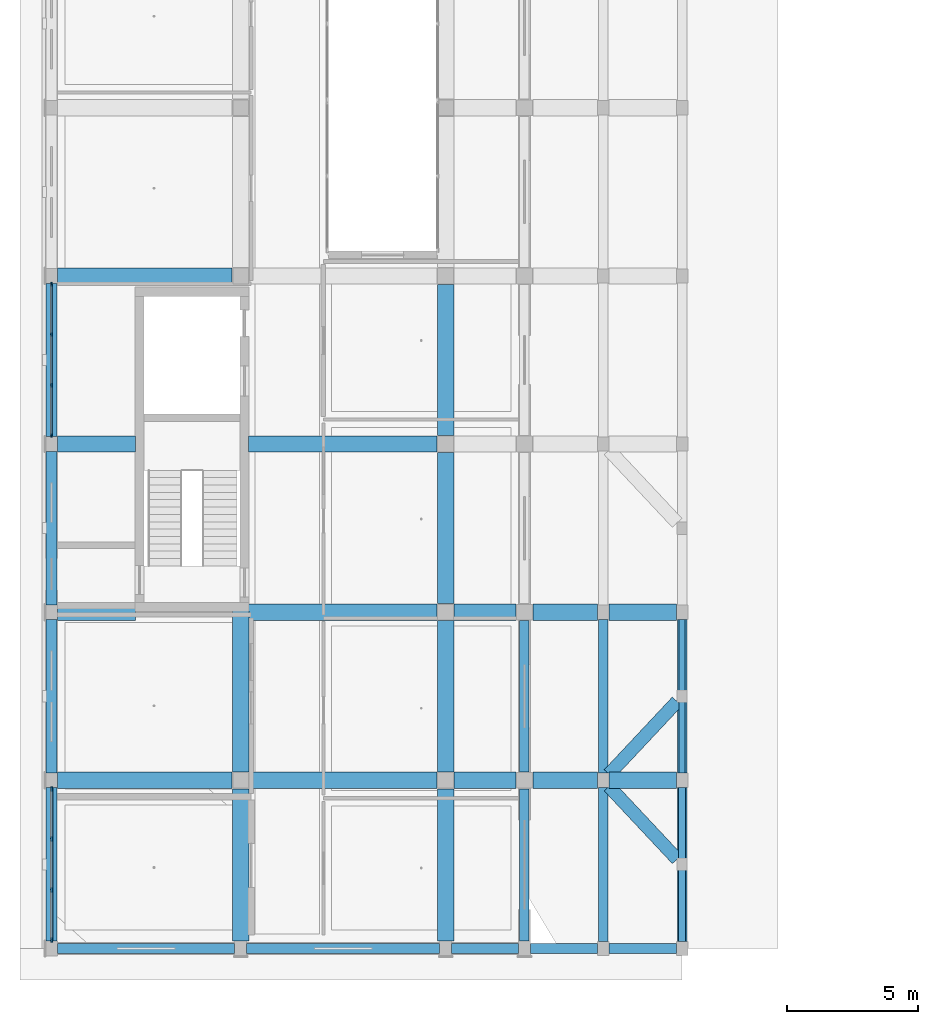
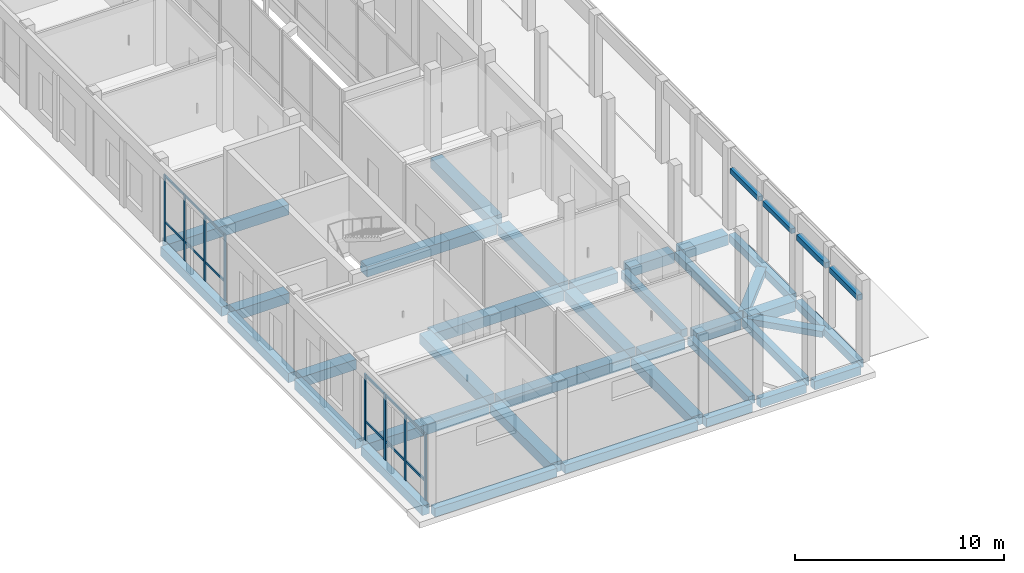
# One storey, part 18 of 88: 40 beams, 12 members, 2 elements without a shape of their own.
"""IFC4 building model written with IfcOpenShell, lengths in metres."""

from ifc_helpers import new_model, si_unit, derived_unit, direction, frame, origin, origin_2d, place, context, subcontext, project, spatial, rectangle, extrude, material, material_profile, profile_set, type_object, element, aggregate, save


model = new_model("IFC4")

# Units and contexts
model_context = context("Model", 3, precision=1e-05, world=origin(), true_north=direction((0.0, 1.0)))
body_context = subcontext(model_context, "Body", "Model", "MODEL_VIEW")
ifc_project = project(units=[si_unit("LENGTHUNIT", "METRE"), si_unit("AREAUNIT", "SQUARE_METRE"), si_unit("VOLUMEUNIT", "CUBIC_METRE"), si_unit("PLANEANGLEUNIT", "RADIAN"), si_unit("MASSUNIT", "GRAM", prefix="KILO"), derived_unit("THERMALTRANSMITTANCEUNIT", [(si_unit("POWERUNIT", "WATT"), 1), (si_unit("LENGTHUNIT", "METRE"), -2), (si_unit("THERMODYNAMICTEMPERATUREUNIT", "KELVIN"), -1)])], contexts=[model_context])

# Site, building, storey
site_placement = place(None, origin())
site = spatial("IfcSite", under=ifc_project, at=site_placement, CompositionType="ELEMENT")
building_placement = place(site_placement, origin())
building = spatial("IfcBuilding", under=site, at=building_placement, Name="Braskholm Square Health Centre", CompositionType="ELEMENT")
storey_placement = place(building_placement, origin())
storey = spatial("IfcBuildingStorey", under=building, at=storey_placement, Name="L01", CompositionType="ELEMENT", Elevation=0.0)

# Curtain wall, members
ifc_material_1 = material(Name="Low-E triple insulating glass (VLT 0.64)", Category="glass")
curtain_wall_type = type_object("IfcCurtainWallType", Name="UnitisedCurtainWall6200x3800", PredefinedType="NOTDEFINED", material=ifc_material_1)
curtain_wall_1_placement = place(storey_placement, origin())
curtain_wall_1 = element("IfcCurtainWall", 1, at=curtain_wall_1_placement, inside=storey, type_object=curtain_wall_type, Name="West Storefront unitised curtain wall CW-L01-0002", PredefinedType="NOTDEFINED")
ifc_material_2 = material(Name="Architectural bronze anodised aluminium", Category="aluminium")
ifc_material_profile_1 = material_profile(ifc_material_2, rectangle(XDim=0.06494140625, YDim=0.14990234375, at=origin_2d()), Name="ALU-65X150")
ifc_profile_set_1 = profile_set([ifc_material_profile_1], Name="Architectural bronze anodised aluminium")
member_type_1 = type_object("IfcMemberType", Name="CurtainWallMullion65x150", PredefinedType="MULLION", material=ifc_profile_set_1)
member_1_placement = place(storey_placement, frame((4.199951171875, 29.47509765625, 0.0), z_axis=(0.0, 0.0, 1.0), x_axis=(1.0, 0.0, 0.0)))
member_1 = element("IfcMember", 2, at=member_1_placement, type_object=member_type_1, Name="CW-L01-0002 vertical mullion 1", PredefinedType="MULLION", context=body_context, shape_type="SweptSolid", body=[
    extrude(rectangle(XDim=0.06494140625, YDim=0.14990234375, at=origin_2d()), origin(), (0.0, 0.0, 1.0), 3.8701171875),
])
member_2_placement = place(storey_placement, frame((4.199951171875, 27.570068359375, 0.0), z_axis=(0.0, 0.0, 1.0), x_axis=(1.0, 0.0, 0.0)))
member_2 = element("IfcMember", 3, at=member_2_placement, type_object=member_type_1, Name="CW-L01-0002 vertical mullion 2", PredefinedType="MULLION", context=body_context, shape_type="SweptSolid", body=[
    extrude(rectangle(XDim=0.06494140625, YDim=0.14990234375, at=origin_2d()), origin(), (0.0, 0.0, 1.0), 3.8701171875),
])
member_3_placement = place(storey_placement, frame((4.199951171875, 25.6298828125, 0.0), z_axis=(0.0, 0.0, 1.0), x_axis=(1.0, 0.0, 0.0)))
member_3 = element("IfcMember", 4, at=member_3_placement, type_object=member_type_1, Name="CW-L01-0002 vertical mullion 3", PredefinedType="MULLION", context=body_context, shape_type="SweptSolid", body=[
    extrude(rectangle(XDim=0.06494140625, YDim=0.14990234375, at=origin_2d()), origin(), (0.0, 0.0, 1.0), 3.8701171875),
])
member_4_placement = place(storey_placement, frame((4.199951171875, 23.724853515625, 0.0), z_axis=(0.0, 0.0, 1.0), x_axis=(1.0, 0.0, 0.0)))
member_4 = element("IfcMember", 5, at=member_4_placement, type_object=member_type_1, Name="CW-L01-0002 vertical mullion 4", PredefinedType="MULLION", context=body_context, shape_type="SweptSolid", body=[
    extrude(rectangle(XDim=0.06494140625, YDim=0.14990234375, at=origin_2d()), origin(), (0.0, 0.0, 1.0), 3.8701171875),
])

curtain_wall_2_placement = place(storey_placement, origin())
curtain_wall_2 = element("IfcCurtainWall", 6, at=curtain_wall_2_placement, inside=storey, type_object=curtain_wall_type, Name="West Storefront unitised curtain wall CW-L01-0001", PredefinedType="NOTDEFINED")
ifc_material_profile_2 = material_profile(ifc_material_2, rectangle(XDim=0.074951171875, YDim=0.179931640625, at=origin_2d()), Name="ALU-75X180")
ifc_profile_set_2 = profile_set([ifc_material_profile_2], Name="Architectural bronze anodised aluminium")
member_type_2 = type_object("IfcMemberType", Name="CurtainWallMullion75x180", PredefinedType="MULLION", material=ifc_profile_set_2)
member_5_placement = place(storey_placement, frame((4.199951171875, 10.275146484375, 0.0), z_axis=(0.0, 0.0, 1.0), x_axis=(1.0, 0.0, 0.0)))
member_5 = element("IfcMember", 7, at=member_5_placement, type_object=member_type_2, Name="CW-L01-0001 vertical mullion 1", PredefinedType="MULLION", context=body_context, shape_type="SweptSolid", body=[
    extrude(rectangle(XDim=0.074951171875, YDim=0.179931640625, at=origin_2d()), origin(), (0.0, 0.0, 1.0), 3.8701171875),
])
member_6_placement = place(storey_placement, frame((4.199951171875, 8.3701171875, 0.0), z_axis=(0.0, 0.0, 1.0), x_axis=(1.0, 0.0, 0.0)))
member_6 = element("IfcMember", 8, at=member_6_placement, type_object=member_type_2, Name="CW-L01-0001 vertical mullion 2", PredefinedType="MULLION", context=body_context, shape_type="SweptSolid", body=[
    extrude(rectangle(XDim=0.074951171875, YDim=0.179931640625, at=origin_2d()), origin(), (0.0, 0.0, 1.0), 3.8701171875),
])
member_7_placement = place(storey_placement, frame((4.199951171875, 6.429931640625, 0.0), z_axis=(0.0, 0.0, 1.0), x_axis=(1.0, 0.0, 0.0)))
member_7 = element("IfcMember", 9, at=member_7_placement, type_object=member_type_2, Name="CW-L01-0001 vertical mullion 3", PredefinedType="MULLION", context=body_context, shape_type="SweptSolid", body=[
    extrude(rectangle(XDim=0.074951171875, YDim=0.179931640625, at=origin_2d()), origin(), (0.0, 0.0, 1.0), 3.8701171875),
])
member_8_placement = place(storey_placement, frame((4.199951171875, 4.52490234375, 0.0), z_axis=(0.0, 0.0, 1.0), x_axis=(1.0, 0.0, 0.0)))
member_8 = element("IfcMember", 10, at=member_8_placement, type_object=member_type_2, Name="CW-L01-0001 vertical mullion 4", PredefinedType="MULLION", context=body_context, shape_type="SweptSolid", body=[
    extrude(rectangle(XDim=0.074951171875, YDim=0.179931640625, at=origin_2d()), origin(), (0.0, 0.0, 1.0), 3.8701171875),
])

# Member
ifc_material_profile_3 = material_profile(ifc_material_2, rectangle(XDim=0.06494140625, YDim=0.1201171875, at=origin_2d()), Name="ALU-65X120")
ifc_profile_set_3 = profile_set([ifc_material_profile_3], Name="Architectural bronze anodised aluminium")
member_type_3 = type_object("IfcMemberType", Name="CurtainWallTransom65x120", PredefinedType="USERDEFINED", material=ifc_profile_set_3)
member_9_placement = place(storey_placement, frame((4.199951171875, 29.465087890625, 1.1201171875), z_axis=(0.0, -1.0, 0.0), x_axis=(1.0, 0.0, 0.0)))
member_9 = element("IfcMember", 11, at=member_9_placement, type_object=member_type_3, Name="CW-L01-0002 horizontal transom 1", ObjectType="TRANSOM", PredefinedType="USERDEFINED", context=body_context, shape_type="SweptSolid", body=[
    extrude(rectangle(XDim=0.06494140625, YDim=0.1201171875, at=origin_2d()), origin(), (0.0, 0.0, 1.0), 5.72998046875),
])

member_10_placement = place(storey_placement, frame((4.199951171875, 29.465087890625, 3.800048828125), z_axis=(0.0, -1.0, 0.0), x_axis=(1.0, 0.0, 0.0)))
member_10 = element("IfcMember", 12, at=member_10_placement, type_object=member_type_3, Name="CW-L01-0002 horizontal transom 2", ObjectType="TRANSOM", PredefinedType="USERDEFINED", context=body_context, shape_type="SweptSolid", body=[
    extrude(rectangle(XDim=0.06494140625, YDim=0.1201171875, at=origin_2d()), origin(), (0.0, 0.0, 1.0), 5.72998046875),
])

aggregate(curtain_wall_1, [member_1, member_2, member_3, member_4, member_9, member_10])

ifc_material_profile_4 = material_profile(ifc_material_2, rectangle(XDim=0.074951171875, YDim=0.139892578125, at=origin_2d()), Name="ALU-75X140")
ifc_profile_set_4 = profile_set([ifc_material_profile_4], Name="Architectural bronze anodised aluminium")
member_type_4 = type_object("IfcMemberType", Name="CurtainWallTransom75x140", PredefinedType="USERDEFINED", material=ifc_profile_set_4)
member_11_placement = place(storey_placement, frame((4.199951171875, 10.264892578125, 1.1201171875), z_axis=(0.0, -1.0, 0.0), x_axis=(1.0, 0.0, 0.0)))
member_11 = element("IfcMember", 13, at=member_11_placement, type_object=member_type_4, Name="CW-L01-0001 horizontal transom 1", ObjectType="TRANSOM", PredefinedType="USERDEFINED", context=body_context, shape_type="SweptSolid", body=[
    extrude(rectangle(XDim=0.074951171875, YDim=0.139892578125, at=origin_2d()), origin(), (0.0, 0.0, 1.0), 5.72998046875),
])

member_12_placement = place(storey_placement, frame((4.199951171875, 10.264892578125, 3.800048828125), z_axis=(0.0, -1.0, 0.0), x_axis=(1.0, 0.0, 0.0)))
member_12 = element("IfcMember", 14, at=member_12_placement, type_object=member_type_4, Name="CW-L01-0001 horizontal transom 2", ObjectType="TRANSOM", PredefinedType="USERDEFINED", context=body_context, shape_type="SweptSolid", body=[
    extrude(rectangle(XDim=0.074951171875, YDim=0.139892578125, at=origin_2d()), origin(), (0.0, 0.0, 1.0), 5.72998046875),
])

aggregate(curtain_wall_2, [member_5, member_6, member_7, member_8, member_11, member_12])

# Beams
ifc_material_3 = material(Name="Precast concrete C40/50 architectural white", Category="concrete")
ifc_material_profile_5 = material_profile(ifc_material_3, rectangle(XDim=0.239990234375, YDim=0.280029296875, at=origin_2d()), Name="RCB-240X280")
ifc_profile_set_5 = profile_set([ifc_material_profile_5], Name="Precast concrete C40/50 architectural white")
beam_type_1 = type_object("IfcBeamType", Name="OpeningLintelPrecast240x280", PredefinedType="LINTEL", material=ifc_profile_set_5)
for number, where, z_axis, x_axis, name in (
    (15, (28.199951171875, 10.8701171875, 3.449951171875), (0.0, 1.0, 0.0), (-1.0, 0.0, 0.0), "Colonnade opening lintel 003"),
    (16, (28.199951171875, 13.989990234375, 3.449951171875), (0.0, 1.0, 0.0), (-1.0, 0.0, 0.0), "Colonnade opening lintel 004"),
):
    element("IfcBeam", number, at=place(storey_placement, frame(where, z_axis=z_axis, x_axis=x_axis)), inside=storey, type_object=beam_type_1, Name=name, PredefinedType="LINTEL", context=body_context, shape_type="SweptSolid", body=[
        extrude(rectangle(XDim=0.239990234375, YDim=0.280029296875, at=origin_2d()), origin(), (0.0, 0.0, 1.0), 2.739990234375),
    ])
ifc_material_profile_6 = material_profile(ifc_material_3, rectangle(XDim=0.280029296875, YDim=0.320068359375, at=origin_2d()), Name="RCB-280X320")
ifc_profile_set_6 = profile_set([ifc_material_profile_6], Name="Precast concrete C40/50 architectural white")
beam_type_2 = type_object("IfcBeamType", Name="OpeningLintelPrecast280x320", PredefinedType="LINTEL", material=ifc_profile_set_6)
for number, where, z_axis, x_axis, name in (
    (17, (28.199951171875, 4.469970703125, 3.449951171875), (0.0, 1.0, 0.0), (-1.0, 0.0, 0.0), "Colonnade opening lintel 001"),
    (18, (28.199951171875, 7.590087890625, 3.449951171875), (0.0, 1.0, 0.0), (-1.0, 0.0, 0.0), "Colonnade opening lintel 002"),
):
    element("IfcBeam", number, at=place(storey_placement, frame(where, z_axis=z_axis, x_axis=x_axis)), inside=storey, type_object=beam_type_2, Name=name, PredefinedType="LINTEL", context=body_context, shape_type="SweptSolid", body=[
        extrude(rectangle(XDim=0.280029296875, YDim=0.320068359375, at=origin_2d()), origin(), (0.0, 0.0, 1.0), 2.739990234375),
    ])
ifc_material_4 = material(Name="Concrete C35/45 (f'c = 35 MPa)", Category="concrete")
ifc_material_profile_7 = material_profile(ifc_material_4, rectangle(XDim=0.5, YDim=0.360107421875, at=origin_2d()), Name="RCB-500X360")
ifc_profile_set_7 = profile_set([ifc_material_profile_7], Name="Concrete C35/45 (f'c = 35 MPa)")
beam_type_3 = type_object("IfcBeamType", Name="PrimaryBandBeam500x360", PredefinedType="BEAM", material=ifc_profile_set_7)
beam_1_placement = place(storey_placement, frame((28.011474609375, 7.601318359375, -0.405029296875), z_axis=(-0.683973263401, 0.729507076699, 0.0), x_axis=(-0.729507076699, -0.683973263401, 0.0)))
element("IfcBeam", 19, at=beam_1_placement, inside=storey, type_object=beam_type_3, Name="Tie beam PIL01 L01", PredefinedType="BEAM", context=body_context, shape_type="SweptSolid", body=[
    extrude(rectangle(XDim=0.5, YDim=0.360107421875, at=origin_2d()), origin(), (0.0, 0.0, 1.0), 3.790771484375),
])
beam_2_placement = place(storey_placement, frame((28.011474609375, 13.598876953125, -0.405029296875), z_axis=(-0.683941128881, -0.72953720414, 0.0), x_axis=(0.72953720414, -0.683941128881, 0.0)))
element("IfcBeam", 20, at=beam_2_placement, inside=storey, type_object=beam_type_3, Name="Tie beam PIL02 L01", PredefinedType="BEAM", context=body_context, shape_type="SweptSolid", body=[
    extrude(rectangle(XDim=0.5, YDim=0.360107421875, at=origin_2d()), origin(), (0.0, 0.0, 1.0), 3.791015625),
])
ifc_material_5 = material(Name="Concrete C40/50 (f'c = 40 MPa)", Category="concrete")
ifc_material_profile_8 = material_profile(ifc_material_5, rectangle(XDim=0.6201171875, YDim=0.60009765625, at=origin_2d()), Name="RCB-620X600")
ifc_profile_set_8 = profile_set([ifc_material_profile_8], Name="Concrete C40/50 (f'c = 40 MPa)")
beam_type_4 = type_object("IfcBeamType", Name="PrimarySubstructureBeam620x600", PredefinedType="BEAM", material=ifc_profile_set_8)
beam_3_placement = place(storey_placement, frame((11.39990234375, 4.47998046875, -0.60009765625), z_axis=(0.0, 1.0, 0.0), x_axis=(-1.0, 0.0, 0.0)))
element("IfcBeam", 21, at=beam_3_placement, inside=storey, type_object=beam_type_4, Name="Beam 2/A-B L01", PredefinedType="BEAM", context=body_context, shape_type="SweptSolid", body=[
    extrude(rectangle(XDim=0.6201171875, YDim=0.60009765625, at=origin_2d()), origin(), (0.0, 0.0, 1.0), 5.794921875),
])
beam_4_placement = place(storey_placement, frame((11.39990234375, 10.925048828125, -0.60009765625), z_axis=(0.0, 1.0, 0.0), x_axis=(-1.0, 0.0, 0.0)))
element("IfcBeam", 22, at=beam_4_placement, inside=storey, type_object=beam_type_4, Name="Beam 2/B-E L01", PredefinedType="BEAM", context=body_context, shape_type="SweptSolid", body=[
    extrude(rectangle(XDim=0.6201171875, YDim=0.60009765625, at=origin_2d()), origin(), (0.0, 0.0, 1.0), 6.125),
])
beam_5_placement = place(storey_placement, frame((19.199951171875, 4.47998046875, -0.60009765625), z_axis=(0.0, 1.0, 0.0), x_axis=(-1.0, 0.0, 0.0)))
element("IfcBeam", 23, at=beam_5_placement, inside=storey, type_object=beam_type_4, Name="Beam 3/A-B L01", PredefinedType="BEAM", context=body_context, shape_type="SweptSolid", body=[
    extrude(rectangle(XDim=0.6201171875, YDim=0.60009765625, at=origin_2d()), origin(), (0.0, 0.0, 1.0), 5.794921875),
])
for number, where, z_axis, x_axis, name in (
    (24, (19.199951171875, 10.925048828125, -0.60009765625), (0.0, 1.0, 0.0), (-1.0, 0.0, 0.0), "Beam 3/B-C L01"),
    (25, (19.199951171875, 17.324951171875, -0.60009765625), (0.0, 1.0, 0.0), (-1.0, 0.0, 0.0), "Beam 3/C-D L01"),
    (26, (19.199951171875, 23.72509765625, -0.60009765625), (0.0, 1.0, 0.0), (-1.0, 0.0, 0.0), "Beam 3/D-E L01"),
):
    element("IfcBeam", number, at=place(storey_placement, frame(where, z_axis=z_axis, x_axis=x_axis)), inside=storey, type_object=beam_type_4, Name=name, PredefinedType="BEAM", context=body_context, shape_type="SweptSolid", body=[
        extrude(rectangle(XDim=0.6201171875, YDim=0.60009765625, at=origin_2d()), origin(), (0.0, 0.0, 1.0), 5.75),
    ])
beam_6_placement = place(storey_placement, frame((4.429931640625, 10.60009765625, -0.60009765625), z_axis=(1.0, 0.0, 0.0), x_axis=(0.0, 1.0, 0.0)))
element("IfcBeam", 27, at=beam_6_placement, inside=storey, type_object=beam_type_4, Name="Beam 1-2/B L01", PredefinedType="BEAM", context=body_context, shape_type="SweptSolid", body=[
    extrude(rectangle(XDim=0.6201171875, YDim=0.60009765625, at=origin_2d()), origin(), (0.0, 0.0, 1.0), 6.64501953125),
])
beam_7_placement = place(storey_placement, frame((11.72509765625, 10.60009765625, -0.60009765625), z_axis=(1.0, 0.0, 0.0), x_axis=(0.0, 1.0, 0.0)))
element("IfcBeam", 28, at=beam_7_placement, inside=storey, type_object=beam_type_4, Name="Beam 2-3/B L01", PredefinedType="BEAM", context=body_context, shape_type="SweptSolid", body=[
    extrude(rectangle(XDim=0.6201171875, YDim=0.60009765625, at=origin_2d()), origin(), (0.0, 0.0, 1.0), 7.14990234375),
])
beam_8_placement = place(storey_placement, frame((19.52490234375, 10.60009765625, -0.60009765625), z_axis=(1.0, 0.0, 0.0), x_axis=(0.0, 1.0, 0.0)))
element("IfcBeam", 29, at=beam_8_placement, inside=storey, type_object=beam_type_4, Name="Beam 3-4/B L01", PredefinedType="BEAM", context=body_context, shape_type="SweptSolid", body=[
    extrude(rectangle(XDim=0.6201171875, YDim=0.60009765625, at=origin_2d()), origin(), (0.0, 0.0, 1.0), 2.35009765625),
])
beam_9_placement = place(storey_placement, frame((22.52490234375, 10.60009765625, -0.52490234375), z_axis=(1.0, 0.0, 0.0), x_axis=(0.0, 1.0, 0.0)))
element("IfcBeam", 30, at=beam_9_placement, inside=storey, type_object=beam_type_4, Name="Beam 4-5/B L01", PredefinedType="BEAM", context=body_context, shape_type="SweptSolid", body=[
    extrude(rectangle(XDim=0.6201171875, YDim=0.60009765625, at=origin_2d()), origin(), (0.0, 0.0, 1.0), 2.455078125),
])
beam_10_placement = place(storey_placement, frame((25.419921875, 10.60009765625, -0.52490234375), z_axis=(1.0, 0.0, 0.0), x_axis=(0.0, 1.0, 0.0)))
element("IfcBeam", 31, at=beam_10_placement, inside=storey, type_object=beam_type_4, Name="Beam 5-6/B L01", PredefinedType="BEAM", context=body_context, shape_type="SweptSolid", body=[
    extrude(rectangle(XDim=0.6201171875, YDim=0.60009765625, at=origin_2d()), origin(), (0.0, 0.0, 1.0), 2.56005859375),
])
beam_11_placement = place(storey_placement, frame((4.429931640625, 17.0, -0.60009765625), z_axis=(1.0, 0.0, 0.0), x_axis=(0.0, 1.0, 0.0)))
element("IfcBeam", 32, at=beam_11_placement, inside=storey, type_object=beam_type_4, Name="Beam 1-3/C L01", PredefinedType="BEAM", context=body_context, shape_type="SweptSolid", body=[
    extrude(rectangle(XDim=0.6201171875, YDim=0.60009765625, at=origin_2d()), origin(), (0.0, 0.0, 1.0), 2.969970703125),
])
beam_12_placement = place(storey_placement, frame((11.699951171875, 17.0, -0.60009765625), z_axis=(1.0, 0.0, 0.0), x_axis=(0.0, 1.0, 0.0)))
element("IfcBeam", 33, at=beam_12_placement, inside=storey, type_object=beam_type_4, Name="Beam 1-3/C L01", PredefinedType="BEAM", context=body_context, shape_type="SweptSolid", body=[
    extrude(rectangle(XDim=0.6201171875, YDim=0.60009765625, at=origin_2d()), origin(), (0.0, 0.0, 1.0), 7.175048828125),
])
beam_13_placement = place(storey_placement, frame((19.52490234375, 17.0, -0.60009765625), z_axis=(1.0, 0.0, 0.0), x_axis=(0.0, 1.0, 0.0)))
element("IfcBeam", 34, at=beam_13_placement, inside=storey, type_object=beam_type_4, Name="Beam 3-4/C L01", PredefinedType="BEAM", context=body_context, shape_type="SweptSolid", body=[
    extrude(rectangle(XDim=0.6201171875, YDim=0.60009765625, at=origin_2d()), origin(), (0.0, 0.0, 1.0), 2.35009765625),
])
beam_14_placement = place(storey_placement, frame((22.52490234375, 17.0, -0.52490234375), z_axis=(1.0, 0.0, 0.0), x_axis=(0.0, 1.0, 0.0)))
element("IfcBeam", 35, at=beam_14_placement, inside=storey, type_object=beam_type_4, Name="Beam 4-5/C L01", PredefinedType="BEAM", context=body_context, shape_type="SweptSolid", body=[
    extrude(rectangle(XDim=0.6201171875, YDim=0.60009765625, at=origin_2d()), origin(), (0.0, 0.0, 1.0), 2.455078125),
])
beam_15_placement = place(storey_placement, frame((25.419921875, 17.0, -0.52490234375), z_axis=(1.0, 0.0, 0.0), x_axis=(0.0, 1.0, 0.0)))
element("IfcBeam", 36, at=beam_15_placement, inside=storey, type_object=beam_type_4, Name="Beam 5-6/C L01", PredefinedType="BEAM", context=body_context, shape_type="SweptSolid", body=[
    extrude(rectangle(XDim=0.6201171875, YDim=0.60009765625, at=origin_2d()), origin(), (0.0, 0.0, 1.0), 2.56005859375),
])
beam_16_placement = place(storey_placement, frame((4.429931640625, 23.39990234375, -0.60009765625), z_axis=(1.0, 0.0, 0.0), x_axis=(0.0, 1.0, 0.0)))
element("IfcBeam", 37, at=beam_16_placement, inside=storey, type_object=beam_type_4, Name="Beam 1-3/D L01", PredefinedType="BEAM", context=body_context, shape_type="SweptSolid", body=[
    extrude(rectangle(XDim=0.6201171875, YDim=0.60009765625, at=origin_2d()), origin(), (0.0, 0.0, 1.0), 2.969970703125),
])
beam_17_placement = place(storey_placement, frame((11.699951171875, 23.39990234375, -0.60009765625), z_axis=(1.0, 0.0, 0.0), x_axis=(0.0, 1.0, 0.0)))
element("IfcBeam", 38, at=beam_17_placement, inside=storey, type_object=beam_type_4, Name="Beam 1-3/D L01", PredefinedType="BEAM", context=body_context, shape_type="SweptSolid", body=[
    extrude(rectangle(XDim=0.6201171875, YDim=0.60009765625, at=origin_2d()), origin(), (0.0, 0.0, 1.0), 7.175048828125),
])
beam_18_placement = place(storey_placement, frame((4.429931640625, 29.800048828125, -0.60009765625), z_axis=(1.0, 0.0, 0.0), x_axis=(0.0, 1.0, 0.0)))
element("IfcBeam", 39, at=beam_18_placement, inside=storey, type_object=beam_type_4, Name="Beam 1-2/E L01", PredefinedType="BEAM", context=body_context, shape_type="SweptSolid", body=[
    extrude(rectangle(XDim=0.6201171875, YDim=0.60009765625, at=origin_2d()), origin(), (0.0, 0.0, 1.0), 6.64501953125),
])
ifc_material_profile_9 = material_profile(ifc_material_3, rectangle(XDim=0.3798828125, YDim=0.5, at=origin_2d()), Name="RCB-380X500")
ifc_profile_set_9 = profile_set([ifc_material_profile_9], Name="Precast concrete C40/50 architectural white")
beam_type_5 = type_object("IfcBeamType", Name="SpandrelPrecastEdge380x500", PredefinedType="SPANDREL", material=ifc_profile_set_9)
beam_19_placement = place(storey_placement, frame((4.429931640625, 4.199951171875, -0.550048828125), z_axis=(1.0, 0.0, 0.0), x_axis=(0.0, 1.0, 0.0)))
element("IfcBeam", 40, at=beam_19_placement, inside=storey, type_object=beam_type_5, Name="Beam 1-2/A L01", PredefinedType="SPANDREL", context=body_context, shape_type="SweptSolid", body=[
    extrude(rectangle(XDim=0.3798828125, YDim=0.5, at=origin_2d()), origin(), (0.0, 0.0, 1.0), 6.739990234375),
])
beam_20_placement = place(storey_placement, frame((11.6298828125, 4.199951171875, -0.550048828125), z_axis=(1.0, 0.0, 0.0), x_axis=(0.0, 1.0, 0.0)))
element("IfcBeam", 41, at=beam_20_placement, inside=storey, type_object=beam_type_5, Name="Beam 2-3/A L01", PredefinedType="SPANDREL", context=body_context, shape_type="SweptSolid", body=[
    extrude(rectangle(XDim=0.3798828125, YDim=0.5, at=origin_2d()), origin(), (0.0, 0.0, 1.0), 7.340087890625),
])
beam_21_placement = place(storey_placement, frame((19.429931640625, 4.199951171875, -0.550048828125), z_axis=(1.0, 0.0, 0.0), x_axis=(0.0, 1.0, 0.0)))
element("IfcBeam", 42, at=beam_21_placement, inside=storey, type_object=beam_type_5, Name="Beam 3-4/A L01", PredefinedType="SPANDREL", context=body_context, shape_type="SweptSolid", body=[
    extrude(rectangle(XDim=0.3798828125, YDim=0.5, at=origin_2d()), origin(), (0.0, 0.0, 1.0), 2.5400390625),
])
beam_22_placement = place(storey_placement, frame((22.429931640625, 4.199951171875, -0.47509765625), z_axis=(1.0, 0.0, 0.0), x_axis=(0.0, 1.0, 0.0)))
element("IfcBeam", 43, at=beam_22_placement, inside=storey, type_object=beam_type_5, Name="Beam 4-5/A L01", PredefinedType="SPANDREL", context=body_context, shape_type="SweptSolid", body=[
    extrude(rectangle(XDim=0.3798828125, YDim=0.5, at=origin_2d()), origin(), (0.0, 0.0, 1.0), 2.550048828125),
])
beam_23_placement = place(storey_placement, frame((25.419921875, 4.199951171875, -0.47509765625), z_axis=(1.0, 0.0, 0.0), x_axis=(0.0, 1.0, 0.0)))
element("IfcBeam", 44, at=beam_23_placement, inside=storey, type_object=beam_type_5, Name="Beam 5-6/A L01", PredefinedType="SPANDREL", context=body_context, shape_type="SweptSolid", body=[
    extrude(rectangle(XDim=0.3798828125, YDim=0.5, at=origin_2d()), origin(), (0.0, 0.0, 1.0), 2.56005859375),
])
ifc_material_profile_10 = material_profile(ifc_material_3, rectangle(XDim=0.419921875, YDim=0.550048828125, at=origin_2d()), Name="RCB-420X550")
ifc_profile_set_10 = profile_set([ifc_material_profile_10], Name="Precast concrete C40/50 architectural white")
beam_type_6 = type_object("IfcBeamType", Name="SpandrelPrecastLedge420x550", PredefinedType="SPANDREL", material=ifc_profile_set_10)
for number, where, z_axis, x_axis, name in (
    (45, (4.199951171875, 4.47998046875, -0.574951171875), (0.0, 1.0, 0.0), (-1.0, 0.0, 0.0), "Beam 1/A-B L01"),
    (46, (4.199951171875, 10.8798828125, -0.574951171875), (0.0, 1.0, 0.0), (-1.0, 0.0, 0.0), "Beam 1/B-C L01"),
    (47, (4.199951171875, 17.280029296875, -0.574951171875), (0.0, 1.0, 0.0), (-1.0, 0.0, 0.0), "Beam 1/C-D L01"),
    (48, (4.199951171875, 23.679931640625, -0.574951171875), (0.0, 1.0, 0.0), (-1.0, 0.0, 0.0), "Beam 1/D-E L01"),
):
    element("IfcBeam", number, at=place(storey_placement, frame(where, z_axis=z_axis, x_axis=x_axis)), inside=storey, type_object=beam_type_6, Name=name, PredefinedType="SPANDREL", context=body_context, shape_type="SweptSolid", body=[
        extrude(rectangle(XDim=0.419921875, YDim=0.550048828125, at=origin_2d()), origin(), (0.0, 0.0, 1.0), 5.840087890625),
    ])
ifc_material_profile_11 = material_profile(ifc_material_3, rectangle(XDim=0.360107421875, YDim=0.4599609375, at=origin_2d()), Name="RCB-360X460")
ifc_profile_set_11 = profile_set([ifc_material_profile_11], Name="Precast concrete C40/50 architectural white")
beam_type_7 = type_object("IfcBeamType", Name="SpandrelTerraceEdge360x460", PredefinedType="SPANDREL", material=ifc_profile_set_11)
beam_24_placement = place(storey_placement, frame((22.199951171875, 4.47998046875, -0.455078125), z_axis=(0.0, 1.0, 0.0), x_axis=(-1.0, 0.0, 0.0)))
element("IfcBeam", 49, at=beam_24_placement, inside=storey, type_object=beam_type_7, Name="Beam 4/A-B L01", PredefinedType="SPANDREL", context=body_context, shape_type="SweptSolid", body=[
    extrude(rectangle(XDim=0.360107421875, YDim=0.4599609375, at=origin_2d()), origin(), (0.0, 0.0, 1.0), 5.794921875),
])
beam_25_placement = place(storey_placement, frame((22.199951171875, 10.925048828125, -0.455078125), z_axis=(0.0, 1.0, 0.0), x_axis=(-1.0, 0.0, 0.0)))
element("IfcBeam", 50, at=beam_25_placement, inside=storey, type_object=beam_type_7, Name="Beam 4/B-C L01", PredefinedType="SPANDREL", context=body_context, shape_type="SweptSolid", body=[
    extrude(rectangle(XDim=0.360107421875, YDim=0.4599609375, at=origin_2d()), origin(), (0.0, 0.0, 1.0), 5.75),
])
beam_26_placement = place(storey_placement, frame((25.199951171875, 4.469970703125, -0.455078125), z_axis=(0.0, 1.0, 0.0), x_axis=(-1.0, 0.0, 0.0)))
element("IfcBeam", 51, at=beam_26_placement, inside=storey, type_object=beam_type_7, Name="Beam 5/A-B L01", PredefinedType="SPANDREL", context=body_context, shape_type="SweptSolid", body=[
    extrude(rectangle(XDim=0.360107421875, YDim=0.4599609375, at=origin_2d()), origin(), (0.0, 0.0, 1.0), 5.860107421875),
])
beam_27_placement = place(storey_placement, frame((25.199951171875, 10.8701171875, -0.455078125), z_axis=(0.0, 1.0, 0.0), x_axis=(-1.0, 0.0, 0.0)))
element("IfcBeam", 52, at=beam_27_placement, inside=storey, type_object=beam_type_7, Name="Beam 5/B-C L01", PredefinedType="SPANDREL", context=body_context, shape_type="SweptSolid", body=[
    extrude(rectangle(XDim=0.360107421875, YDim=0.4599609375, at=origin_2d()), origin(), (0.0, 0.0, 1.0), 5.85986328125),
])
beam_28_placement = place(storey_placement, frame((28.199951171875, 4.469970703125, -0.455078125), z_axis=(0.0, 1.0, 0.0), x_axis=(-1.0, 0.0, 0.0)))
element("IfcBeam", 53, at=beam_28_placement, inside=storey, type_object=beam_type_7, Name="Beam 6/A-B L01", PredefinedType="SPANDREL", context=body_context, shape_type="SweptSolid", body=[
    extrude(rectangle(XDim=0.360107421875, YDim=0.4599609375, at=origin_2d()), origin(), (0.0, 0.0, 1.0), 5.860107421875),
])
beam_29_placement = place(storey_placement, frame((28.199951171875, 10.8701171875, -0.455078125), z_axis=(0.0, 1.0, 0.0), x_axis=(-1.0, 0.0, 0.0)))
element("IfcBeam", 54, at=beam_29_placement, inside=storey, type_object=beam_type_7, Name="Beam 6/B-C L01", PredefinedType="SPANDREL", context=body_context, shape_type="SweptSolid", body=[
    extrude(rectangle(XDim=0.360107421875, YDim=0.4599609375, at=origin_2d()), origin(), (0.0, 0.0, 1.0), 5.85986328125),
])

save(model, "model.ifc")
